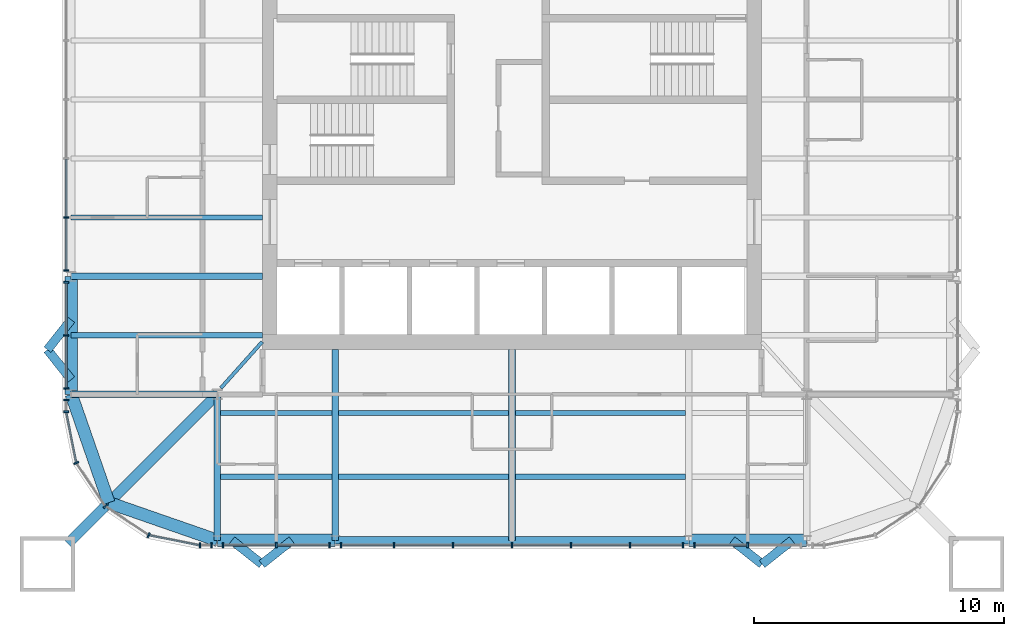
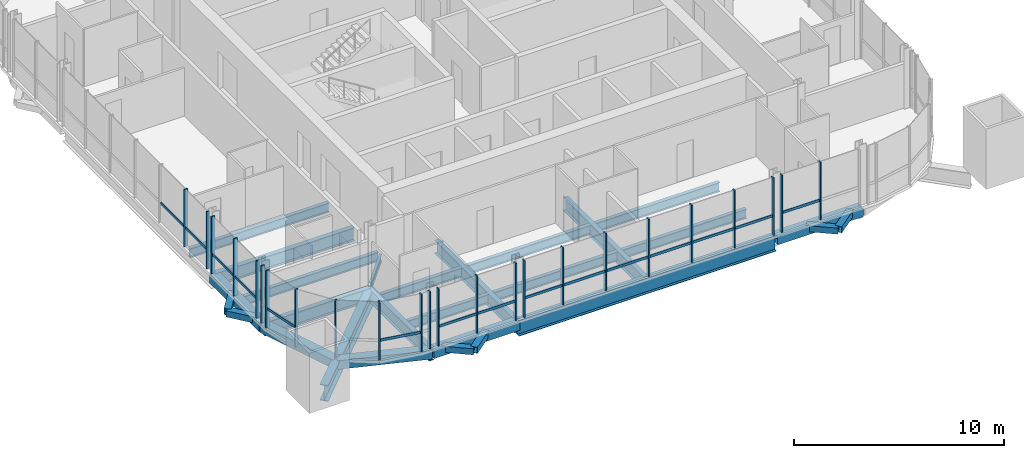
# One storey, part 2 of 17: 39 members, 27 beams, 8 elements without a shape of their own.
"""IFC4 building model written with IfcOpenShell, lengths in metres."""

from ifc_helpers import new_model, si_unit, direction, frame, origin, origin_2d, place, context, subcontext, project, spatial, rectangle, hollow_rectangle, i_section, extrude, material, material_profile, profile_set, type_object, element, aggregate, save


model = new_model("IFC4")

# Units and contexts
model_context = context("Model", 3, precision=1e-05, world=origin(), true_north=direction((0.0, 1.0)))
body_context = subcontext(model_context, "Body", "Model", "MODEL_VIEW")
ifc_project = project(units=[si_unit("LENGTHUNIT", "METRE"), si_unit("AREAUNIT", "SQUARE_METRE"), si_unit("VOLUMEUNIT", "CUBIC_METRE"), si_unit("PLANEANGLEUNIT", "RADIAN"), si_unit("MASSUNIT", "GRAM", prefix="KILO")], contexts=[model_context])

# Site, building, storey
site_placement = place(None, origin())
site = spatial("IfcSite", under=ifc_project, at=site_placement, CompositionType="ELEMENT")
building_placement = place(site_placement, origin())
building = spatial("IfcBuilding", under=site, at=building_placement, Name="Turquesa Mirador Hotel Tower", CompositionType="ELEMENT")
storey_placement = place(building_placement, frame((0.0, 0.0, 237.199951171875)))
storey = spatial("IfcBuildingStorey", under=building, at=storey_placement, Name="L64", CompositionType="ELEMENT", Elevation=237.199951171875)

# Beams
ifc_material_1 = material(Name="Steel ASTM A572 Grade 50", Category="steel")
ifc_material_profile_1 = material_profile(ifc_material_1, hollow_rectangle(XDim=0.5, YDim=0.5, WallThickness=0.01611328125, at=origin_2d()), Name="BOX500X500X16")
ifc_profile_set_1 = profile_set([ifc_material_profile_1], Name="Steel ASTM A572 Grade 50")
beam_type_1 = type_object("IfcBeamType", Name="BEAM BOX500X500X16", PredefinedType="BEAM", material=ifc_profile_set_1)
for number, where, z_axis, x_axis, name in (
    (1, (43.199951171875, 27.35009765625, -0.419921875), (1.0, 0.0, 0.0), (0.0, 1.0, 0.0), "EB-L64-S-L"),
    (2, (62.080078125, 27.35009765625, -0.419921875), (1.0, 0.0, 0.0), (0.0, 1.0, 0.0), "EB-L64-S-R"),
    (3, (37.35009765625, 33.199951171875, -0.419921875), (0.0, 1.0, 0.0), (-1.0, 0.0, 0.0), "EB-L64-W-L"),
):
    element("IfcBeam", number, at=place(storey_placement, frame(where, z_axis=z_axis, x_axis=x_axis)), inside=storey, type_object=beam_type_1, Name=name, PredefinedType="BEAM", context=body_context, shape_type="SweptSolid", body=[
        extrude(hollow_rectangle(XDim=0.5, YDim=0.5, WallThickness=0.01611328125, at=origin_2d()), origin(), (0.0, 0.0, 1.0), 4.719970703125),
    ])
for number, where, z_axis, x_axis, name in (
    (4, (37.35009765625, 33.199951171875, -0.419921875), (0.328170356092, -0.944618556552, 0.0), (0.944618556552, 0.328170356092, 0.0), "KE-L64-3-0"),
    (5, (38.8583984375, 28.8583984375, -0.419921875), (0.944618556552, -0.328170356092, 0.0), (0.328170356092, 0.944618556552, 0.0), "KE-L64-3-1"),
):
    element("IfcBeam", number, at=place(storey_placement, frame(where, z_axis=z_axis, x_axis=x_axis)), inside=storey, type_object=beam_type_1, Name=name, PredefinedType="BEAM", context=body_context, shape_type="SweptSolid", body=[
        extrude(hollow_rectangle(XDim=0.5, YDim=0.5, WallThickness=0.01611328125, at=origin_2d()), origin(), (0.0, 0.0, 1.0), 4.59619140625),
    ])
ifc_material_2 = material(Name="Steel ASTM A992 Grade 50", Category="steel")
ifc_material_profile_2 = material_profile(ifc_material_2, i_section(OverallWidth=0.140380859375, OverallDepth=0.40380859375, WebThickness=0.007080078125, FlangeThickness=0.01123046875, at=origin_2d()), Name="W16X31")
ifc_profile_set_2 = profile_set([ifc_material_profile_2], Name="Steel ASTM A992 Grade 50")
beam_type_2 = type_object("IfcBeamType", Name="BEAM W16X31", PredefinedType="BEAM", material=ifc_profile_set_2)
beam_1_placement = place(storey_placement, frame((43.343505859375, 33.44873046875, -0.371826171875), z_axis=(0.666806350186, 0.745231032198, 0.0), x_axis=(-0.745231032198, 0.666806350186, 0.0)))
element("IfcBeam", 6, at=beam_1_placement, inside=storey, type_object=beam_type_2, Name="KT-L64-3", PredefinedType="BEAM", context=body_context, shape_type="SweptSolid", body=[
    extrude(i_section(OverallWidth=0.140380859375, OverallDepth=0.40380859375, WebThickness=0.007080078125, FlangeThickness=0.01123046875, at=origin_2d()), origin(), (0.0, 0.0, 1.0), 2.484130859375),
])
ifc_material_3 = material(Name="Steel ASTM A992 Grade 50", Category="steel")
ifc_material_profile_3 = material_profile(ifc_material_3, i_section(OverallWidth=0.209228515625, OverallDepth=0.533447265625, WebThickness=0.01025390625, FlangeThickness=0.015625, at=origin_2d()), Name="W21X62")
ifc_profile_set_3 = profile_set([ifc_material_profile_3], Name="Steel ASTM A992 Grade 50")
beam_type_3 = type_object("IfcBeamType", Name="BEAM W21X62", PredefinedType="BEAM", material=ifc_profile_set_3)
beam_2_placement = place(storey_placement, frame((43.333251953125, 32.449951171875, -0.436767578125), z_axis=(1.0, 0.0, 0.0), x_axis=(0.0, 1.0, 0.0)))
element("IfcBeam", 7, at=beam_2_placement, inside=storey, type_object=beam_type_3, Name="IB-L64-S-1-0", PredefinedType="BEAM", context=body_context, shape_type="SweptSolid", body=[
    extrude(i_section(OverallWidth=0.209228515625, OverallDepth=0.533447265625, WebThickness=0.01025390625, FlangeThickness=0.015625, at=origin_2d()), origin(), (0.0, 0.0, 1.0), 4.453369140625),
])
for number, where, z_axis, x_axis, name in (
    (8, (48.053466796875, 32.449951171875, -0.436767578125), (1.0, 0.0, 0.0), (0.0, 1.0, 0.0), "IB-L64-S-1-1"),
    (9, (55.13330078125, 32.449951171875, -0.436767578125), (1.0, 0.0, 0.0), (0.0, 1.0, 0.0), "IB-L64-S-1-2"),
):
    element("IfcBeam", number, at=place(storey_placement, frame(where, z_axis=z_axis, x_axis=x_axis)), inside=storey, type_object=beam_type_3, Name=name, PredefinedType="BEAM", context=body_context, shape_type="SweptSolid", body=[
        extrude(i_section(OverallWidth=0.209228515625, OverallDepth=0.533447265625, WebThickness=0.01025390625, FlangeThickness=0.015625, at=origin_2d()), origin(), (0.0, 0.0, 1.0), 6.813232421875),
    ])
beam_3_placement = place(storey_placement, frame((43.333251953125, 29.89990234375, -0.436767578125), z_axis=(1.0, 0.0, 0.0), x_axis=(0.0, 1.0, 0.0)))
element("IfcBeam", 10, at=beam_3_placement, inside=storey, type_object=beam_type_3, Name="IB-L64-S-2-0", PredefinedType="BEAM", context=body_context, shape_type="SweptSolid", body=[
    extrude(i_section(OverallWidth=0.209228515625, OverallDepth=0.533447265625, WebThickness=0.01025390625, FlangeThickness=0.015625, at=origin_2d()), origin(), (0.0, 0.0, 1.0), 4.453369140625),
])
for number, where, z_axis, x_axis, name in (
    (11, (48.053466796875, 29.89990234375, -0.436767578125), (1.0, 0.0, 0.0), (0.0, 1.0, 0.0), "IB-L64-S-2-1"),
    (12, (55.13330078125, 29.89990234375, -0.436767578125), (1.0, 0.0, 0.0), (0.0, 1.0, 0.0), "IB-L64-S-2-2"),
):
    element("IfcBeam", number, at=place(storey_placement, frame(where, z_axis=z_axis, x_axis=x_axis)), inside=storey, type_object=beam_type_3, Name=name, PredefinedType="BEAM", context=body_context, shape_type="SweptSolid", body=[
        extrude(i_section(OverallWidth=0.209228515625, OverallDepth=0.533447265625, WebThickness=0.01025390625, FlangeThickness=0.015625, at=origin_2d()), origin(), (0.0, 0.0, 1.0), 6.813232421875),
    ])
for number, where, z_axis, x_axis, name in (
    (13, (37.35009765625, 35.56005859375, -0.436767578125), (1.0, 0.0, 0.0), (0.0, 1.0, 0.0), "BM-L64-W--9.44"),
    (14, (37.35009765625, 40.280029296875, -0.436767578125), (1.0, 0.0, 0.0), (0.0, 1.0, 0.0), "BM-L64-W--4.72"),
):
    element("IfcBeam", number, at=place(storey_placement, frame(where, z_axis=z_axis, x_axis=x_axis)), inside=storey, type_object=beam_type_3, Name=name, PredefinedType="BEAM", context=body_context, shape_type="SweptSolid", body=[
        extrude(i_section(OverallWidth=0.209228515625, OverallDepth=0.533447265625, WebThickness=0.01025390625, FlangeThickness=0.015625, at=origin_2d()), origin(), (0.0, 0.0, 1.0), 7.64990234375),
    ])
ifc_material_4 = material(Name="Steel ASTM A992 Grade 50", Category="steel")
ifc_material_profile_4 = material_profile(ifc_material_4, i_section(OverallWidth=0.2666015625, OverallDepth=0.7568359375, WebThickness=0.013916015625, FlangeThickness=0.019287109375, at=origin_2d()), Name="W30X108")
ifc_profile_set_4 = profile_set([ifc_material_profile_4], Name="Steel ASTM A992 Grade 50")
beam_type_4 = type_object("IfcBeamType", Name="BEAM W30X108", PredefinedType="BEAM", material=ifc_profile_set_4)
for number, where, z_axis, x_axis, name in (
    (15, (47.919921875, 27.35009765625, -0.54833984375), (0.0, 1.0, 0.0), (-1.0, 0.0, 0.0), "GD-L64-S--7.08"),
    (16, (55.0, 27.35009765625, -0.54833984375), (0.0, 1.0, 0.0), (-1.0, 0.0, 0.0), "GD-L64-S-+0.00"),
):
    element("IfcBeam", number, at=place(storey_placement, frame(where, z_axis=z_axis, x_axis=x_axis)), inside=storey, type_object=beam_type_4, Name=name, PredefinedType="BEAM", context=body_context, shape_type="SweptSolid", body=[
        extrude(i_section(OverallWidth=0.2666015625, OverallDepth=0.7568359375, WebThickness=0.013916015625, FlangeThickness=0.019287109375, at=origin_2d()), origin(), (0.0, 0.0, 1.0), 7.64990234375),
    ])
beam_4_placement = place(storey_placement, frame((43.199951171875, 27.35009765625, -0.54833984375), z_axis=(0.0, 1.0, 0.0), x_axis=(-1.0, 0.0, 0.0)))
element("IfcBeam", 17, at=beam_4_placement, inside=storey, type_object=beam_type_4, Name="GK-L64-S--11.80", PredefinedType="BEAM", context=body_context, shape_type="SweptSolid", body=[
    extrude(i_section(OverallWidth=0.2666015625, OverallDepth=0.7568359375, WebThickness=0.013916015625, FlangeThickness=0.019287109375, at=origin_2d()), origin(), (0.0, 0.0, 1.0), 5.849853515625),
])
beam_5_placement = place(storey_placement, frame((37.35009765625, 37.919921875, -0.54833984375), z_axis=(1.0, 0.0, 0.0), x_axis=(0.0, 1.0, 0.0)))
element("IfcBeam", 18, at=beam_5_placement, inside=storey, type_object=beam_type_4, Name="GD-L64-W--7.08", PredefinedType="BEAM", context=body_context, shape_type="SweptSolid", body=[
    extrude(i_section(OverallWidth=0.2666015625, OverallDepth=0.7568359375, WebThickness=0.013916015625, FlangeThickness=0.019287109375, at=origin_2d()), origin(), (0.0, 0.0, 1.0), 7.64990234375),
])
beam_6_placement = place(storey_placement, frame((37.35009765625, 33.199951171875, -0.54833984375), z_axis=(1.0, 0.0, 0.0), x_axis=(0.0, 1.0, 0.0)))
element("IfcBeam", 19, at=beam_6_placement, inside=storey, type_object=beam_type_4, Name="GK-L64-W--11.80", PredefinedType="BEAM", context=body_context, shape_type="SweptSolid", body=[
    extrude(i_section(OverallWidth=0.2666015625, OverallDepth=0.7568359375, WebThickness=0.013916015625, FlangeThickness=0.019287109375, at=origin_2d()), origin(), (0.0, 0.0, 1.0), 5.849853515625),
])
ifc_material_5 = material(Name="Steel ASTM A992 Grade 50", Category="steel")
ifc_material_profile_5 = material_profile(ifc_material_5, i_section(OverallWidth=0.3046875, OverallDepth=0.911865234375, WebThickness=0.015869140625, FlangeThickness=0.02392578125, at=origin_2d()), Name="W36X150")
ifc_profile_set_5 = profile_set([ifc_material_profile_5], Name="Steel ASTM A992 Grade 50")
beam_type_5 = type_object("IfcBeamType", Name="BEAM W36X150", PredefinedType="BEAM", material=ifc_profile_set_5)
beam_7_placement = place(storey_placement, frame((47.919921875, 27.35009765625, -0.6259765625), z_axis=(1.0, 0.0, 0.0), x_axis=(0.0, 1.0, 0.0)))
element("IfcBeam", 20, at=beam_7_placement, inside=storey, type_object=beam_type_5, Name="EB-L64-S-C", PredefinedType="BEAM", context=body_context, shape_type="SweptSolid", body=[
    extrude(i_section(OverallWidth=0.3046875, OverallDepth=0.911865234375, WebThickness=0.015869140625, FlangeThickness=0.02392578125, at=origin_2d()), origin(), (0.0, 0.0, 1.0), 14.16015625),
])
ifc_material_6 = material(Name="Steel ASTM A992 Grade 50", Category="steel")
ifc_material_profile_6 = material_profile(ifc_material_6, i_section(OverallWidth=0.419189453125, OverallDepth=0.927001953125, WebThickness=0.019287109375, FlangeThickness=0.031982421875, at=origin_2d()), Name="W36X231")
ifc_profile_set_6 = profile_set([ifc_material_profile_6], Name="Steel ASTM A992 Grade 50")
beam_type_6 = type_object("IfcBeamType", Name="BEAM W36X231", PredefinedType="BEAM", material=ifc_profile_set_6)
beam_8_placement = place(storey_placement, frame((43.199951171875, 33.199951171875, -0.633544921875), z_axis=(-0.707106781187, -0.707106781187, 0.0), x_axis=(0.707106781187, -0.707106781187, 0.0)))
element("IfcBeam", 21, at=beam_8_placement, inside=storey, type_object=beam_type_6, Name="KD-L64-3", PredefinedType="BEAM", context=body_context, shape_type="SweptSolid", body=[
    extrude(i_section(OverallWidth=0.419189453125, OverallDepth=0.927001953125, WebThickness=0.019287109375, FlangeThickness=0.031982421875, at=origin_2d()), origin(), (0.0, 0.0, 1.0), 8.46240234375),
])
ifc_material_7 = material(Name="Steel ASTM A500 Grade C", Category="steel")
ifc_material_profile_7 = material_profile(ifc_material_7, hollow_rectangle(XDim=0.355712890625, YDim=0.355712890625, WallThickness=0.0146484375, at=origin_2d()), Name="HSS14X14X5/8")
ifc_profile_set_7 = profile_set([ifc_material_profile_7], Name="Steel ASTM A500 Grade C")
beam_type_7 = type_object("IfcBeamType", Name="BRACE STRUT HSS14X14X5/8", PredefinedType="BEAM", material=ifc_profile_set_7)
for number, where, z_axis, x_axis, name in (
    (22, (44.984619140625, 26.39990234375, -0.34765625), (-0.783971428146, 0.620796907089, 0.0), (-0.620796907089, -0.783971428146, 0.0), "Brace strut"),
    (23, (44.984619140625, 26.39990234375, -0.34765625), (0.783971428146, 0.620796907089, 0.0), (-0.620796907089, 0.783971428146, 0.0), "Brace strut"),
    (24, (65.015380859375, 26.39990234375, -0.34765625), (-0.783971428146, 0.620796907089, 0.0), (-0.620796907089, -0.783971428146, 0.0), "Brace strut"),
    (25, (65.015380859375, 26.39990234375, -0.34765625), (0.783971428146, 0.620796907089, 0.0), (-0.620796907089, 0.783971428146, 0.0), "Brace strut"),
    (26, (36.39990234375, 34.984619140625, -0.34765625), (0.620796907089, -0.783971428146, 0.0), (0.783971428146, 0.620796907089, 0.0), "Brace strut"),
    (27, (36.39990234375, 34.984619140625, -0.34765625), (0.620796907089, 0.783971428146, 0.0), (-0.783971428146, 0.620796907089, 0.0), "Brace strut"),
):
    element("IfcBeam", number, at=place(storey_placement, frame(where, z_axis=z_axis, x_axis=x_axis)), inside=storey, type_object=beam_type_7, Name=name, PredefinedType="BEAM", context=body_context, shape_type="SweptSolid", body=[
        extrude(hollow_rectangle(XDim=0.355712890625, YDim=0.355712890625, WallThickness=0.0146484375, at=origin_2d()), origin(), (0.0, 0.0, 1.0), 1.530517578125),
    ])

# Curtain wall, members
ifc_material_8 = material(Name="Aluminium extrusion", Category="aluminium")
curtain_wall_type = type_object("IfcCurtainWallType", Name="CW-4 SUITE FRITTED CURTAIN WALL", PredefinedType="USERDEFINED", material=ifc_material_8)
curtain_wall_1_placement = place(storey_placement, origin())
curtain_wall_1 = element("IfcCurtainWall", 28, at=curtain_wall_1_placement, inside=storey, type_object=curtain_wall_type, Name="CW-4 SUITE FRITTED CURTAIN WALL L64", ObjectType="CURTAIN WALL", PredefinedType="USERDEFINED")
ifc_material_9 = material(Name="Aluminium extrusion", Category="aluminium")
ifc_material_profile_8 = material_profile(ifc_material_9, rectangle(XDim=0.06494140625, YDim=0.199951171875, at=origin_2d()), Name="MULLION 65X200")
ifc_profile_set_8 = profile_set([ifc_material_profile_8], Name="Aluminium extrusion")
member_type_1 = type_object("IfcMemberType", Name="CW MULLION 65X200", PredefinedType="MULLION", material=ifc_profile_set_8)
member_1_placement = place(storey_placement, frame((37.14990234375, 40.280029296875, 0.0), z_axis=(0.0, 0.0, 1.0), x_axis=(0.0, -1.0, 0.0)))
member_1 = element("IfcMember", 29, at=member_1_placement, type_object=member_type_1, Name="Mullion", PredefinedType="MULLION", context=body_context, shape_type="SweptSolid", body=[
    extrude(rectangle(XDim=0.06494140625, YDim=0.199951171875, at=origin_2d()), origin(), (0.0, 0.0, 1.0), 3.330078125),
])
member_2_placement = place(storey_placement, frame((37.14990234375, 38.15380859375, 0.0), z_axis=(0.0, 0.0, 1.0), x_axis=(0.0, -1.0, 0.0)))
member_2 = element("IfcMember", 30, at=member_2_placement, type_object=member_type_1, Name="Mullion", PredefinedType="MULLION", context=body_context, shape_type="SweptSolid", body=[
    extrude(rectangle(XDim=0.06494140625, YDim=0.199951171875, at=origin_2d()), origin(), (0.0, 0.0, 1.0), 3.330078125),
])

curtain_wall_2_placement = place(storey_placement, origin())
curtain_wall_2 = element("IfcCurtainWall", 31, at=curtain_wall_2_placement, inside=storey, type_object=curtain_wall_type, Name="CW-4 SUITE FRITTED CURTAIN WALL L64", ObjectType="CURTAIN WALL", PredefinedType="USERDEFINED")
member_3_placement = place(storey_placement, frame((37.14990234375, 37.68603515625, 0.0), z_axis=(0.0, 0.0, 1.0), x_axis=(0.0, -1.0, 0.0)))
member_3 = element("IfcMember", 32, at=member_3_placement, type_object=member_type_1, Name="Mullion", PredefinedType="MULLION", context=body_context, shape_type="SweptSolid", body=[
    extrude(rectangle(XDim=0.06494140625, YDim=0.199951171875, at=origin_2d()), origin(), (0.0, 0.0, 1.0), 3.330078125),
])
member_4_placement = place(storey_placement, frame((37.14990234375, 35.56005859375, 0.0), z_axis=(0.0, 0.0, 1.0), x_axis=(0.0, -1.0, 0.0)))
member_4 = element("IfcMember", 33, at=member_4_placement, type_object=member_type_1, Name="Mullion", PredefinedType="MULLION", context=body_context, shape_type="SweptSolid", body=[
    extrude(rectangle(XDim=0.06494140625, YDim=0.199951171875, at=origin_2d()), origin(), (0.0, 0.0, 1.0), 3.330078125),
])
member_5_placement = place(storey_placement, frame((37.14990234375, 33.433837890625, 0.0), z_axis=(0.0, 0.0, 1.0), x_axis=(0.0, -1.0, 0.0)))
member_5 = element("IfcMember", 34, at=member_5_placement, type_object=member_type_1, Name="Mullion", PredefinedType="MULLION", context=body_context, shape_type="SweptSolid", body=[
    extrude(rectangle(XDim=0.06494140625, YDim=0.199951171875, at=origin_2d()), origin(), (0.0, 0.0, 1.0), 3.330078125),
])

curtain_wall_3_placement = place(storey_placement, origin())
curtain_wall_3 = element("IfcCurtainWall", 35, at=curtain_wall_3_placement, inside=storey, type_object=curtain_wall_type, Name="CW-4 SUITE FRITTED CURTAIN WALL L64", ObjectType="CURTAIN WALL", PredefinedType="USERDEFINED")
member_6_placement = place(storey_placement, frame((37.14990234375, 32.966064453125, 0.0), z_axis=(0.0, 0.0, 1.0), x_axis=(0.0, -1.0, 0.0)))
member_6 = element("IfcMember", 36, at=member_6_placement, type_object=member_type_1, Name="Mullion", PredefinedType="MULLION", context=body_context, shape_type="SweptSolid", body=[
    extrude(rectangle(XDim=0.06494140625, YDim=0.199951171875, at=origin_2d()), origin(), (0.0, 0.0, 1.0), 3.330078125),
])
member_7_placement = place(storey_placement, frame((37.14990234375, 32.5, 0.0), z_axis=(0.0, 0.0, 1.0), x_axis=(0.0, -1.0, 0.0)))
member_7 = element("IfcMember", 37, at=member_7_placement, type_object=member_type_1, Name="Mullion", PredefinedType="MULLION", context=body_context, shape_type="SweptSolid", body=[
    extrude(rectangle(XDim=0.06494140625, YDim=0.199951171875, at=origin_2d()), origin(), (0.0, 0.0, 1.0), 3.330078125),
])
aggregate(curtain_wall_3, [member_6, member_7])

curtain_wall_4_placement = place(storey_placement, origin())
curtain_wall_4 = element("IfcCurtainWall", 38, at=curtain_wall_4_placement, inside=storey, type_object=curtain_wall_type, Name="CW-4 SUITE FRITTED CURTAIN WALL L64", ObjectType="CURTAIN WALL", PredefinedType="USERDEFINED")
member_8_placement = place(storey_placement, frame((37.55712890625, 30.45263671875, 0.0), z_axis=(0.0, 0.0, 1.0), x_axis=(0.382683432365, -0.923879532511, 0.0)))
member_8 = element("IfcMember", 39, at=member_8_placement, type_object=member_type_1, Name="Mullion", PredefinedType="MULLION", context=body_context, shape_type="SweptSolid", body=[
    extrude(rectangle(XDim=0.06494140625, YDim=0.199951171875, at=origin_2d()), origin(), (0.0, 0.0, 1.0), 3.330078125),
])
member_9_placement = place(storey_placement, frame((38.717041015625, 28.717041015625, 0.0), z_axis=(0.0, 0.0, 1.0), x_axis=(0.707106781187, -0.707106781187, 0.0)))
member_9 = element("IfcMember", 40, at=member_9_placement, type_object=member_type_1, Name="Mullion", PredefinedType="MULLION", context=body_context, shape_type="SweptSolid", body=[
    extrude(rectangle(XDim=0.06494140625, YDim=0.199951171875, at=origin_2d()), origin(), (0.0, 0.0, 1.0), 3.330078125),
])
member_10_placement = place(storey_placement, frame((40.45263671875, 27.55712890625, 0.0), z_axis=(0.0, 0.0, 1.0), x_axis=(0.923879532511, -0.382683432365, 0.0)))
member_10 = element("IfcMember", 41, at=member_10_placement, type_object=member_type_1, Name="Mullion", PredefinedType="MULLION", context=body_context, shape_type="SweptSolid", body=[
    extrude(rectangle(XDim=0.06494140625, YDim=0.199951171875, at=origin_2d()), origin(), (0.0, 0.0, 1.0), 3.330078125),
])

curtain_wall_5_placement = place(storey_placement, origin())
curtain_wall_5 = element("IfcCurtainWall", 42, at=curtain_wall_5_placement, inside=storey, type_object=curtain_wall_type, Name="CW-4 SUITE FRITTED CURTAIN WALL L64", ObjectType="CURTAIN WALL", PredefinedType="USERDEFINED")
member_11_placement = place(storey_placement, frame((42.5, 27.14990234375, 0.0), z_axis=(0.0, 0.0, 1.0), x_axis=(1.0, 0.0, 0.0)))
member_11 = element("IfcMember", 43, at=member_11_placement, type_object=member_type_1, Name="Mullion", PredefinedType="MULLION", context=body_context, shape_type="SweptSolid", body=[
    extrude(rectangle(XDim=0.06494140625, YDim=0.199951171875, at=origin_2d()), origin(), (0.0, 0.0, 1.0), 3.330078125),
])
member_12_placement = place(storey_placement, frame((42.966064453125, 27.14990234375, 0.0), z_axis=(0.0, 0.0, 1.0), x_axis=(1.0, 0.0, 0.0)))
member_12 = element("IfcMember", 44, at=member_12_placement, type_object=member_type_1, Name="Mullion", PredefinedType="MULLION", context=body_context, shape_type="SweptSolid", body=[
    extrude(rectangle(XDim=0.06494140625, YDim=0.199951171875, at=origin_2d()), origin(), (0.0, 0.0, 1.0), 3.330078125),
])
aggregate(curtain_wall_5, [member_11, member_12])

curtain_wall_6_placement = place(storey_placement, origin())
curtain_wall_6 = element("IfcCurtainWall", 45, at=curtain_wall_6_placement, inside=storey, type_object=curtain_wall_type, Name="CW-4 SUITE FRITTED CURTAIN WALL L64", ObjectType="CURTAIN WALL", PredefinedType="USERDEFINED")
member_13_placement = place(storey_placement, frame((43.433837890625, 27.14990234375, 0.0), z_axis=(0.0, 0.0, 1.0), x_axis=(1.0, 0.0, 0.0)))
member_13 = element("IfcMember", 46, at=member_13_placement, type_object=member_type_1, Name="Mullion", PredefinedType="MULLION", context=body_context, shape_type="SweptSolid", body=[
    extrude(rectangle(XDim=0.06494140625, YDim=0.199951171875, at=origin_2d()), origin(), (0.0, 0.0, 1.0), 3.330078125),
])
member_14_placement = place(storey_placement, frame((45.56005859375, 27.14990234375, 0.0), z_axis=(0.0, 0.0, 1.0), x_axis=(1.0, 0.0, 0.0)))
member_14 = element("IfcMember", 47, at=member_14_placement, type_object=member_type_1, Name="Mullion", PredefinedType="MULLION", context=body_context, shape_type="SweptSolid", body=[
    extrude(rectangle(XDim=0.06494140625, YDim=0.199951171875, at=origin_2d()), origin(), (0.0, 0.0, 1.0), 3.330078125),
])
member_15_placement = place(storey_placement, frame((47.68603515625, 27.14990234375, 0.0), z_axis=(0.0, 0.0, 1.0), x_axis=(1.0, 0.0, 0.0)))
member_15 = element("IfcMember", 48, at=member_15_placement, type_object=member_type_1, Name="Mullion", PredefinedType="MULLION", context=body_context, shape_type="SweptSolid", body=[
    extrude(rectangle(XDim=0.06494140625, YDim=0.199951171875, at=origin_2d()), origin(), (0.0, 0.0, 1.0), 3.330078125),
])

curtain_wall_7_placement = place(storey_placement, origin())
curtain_wall_7 = element("IfcCurtainWall", 49, at=curtain_wall_7_placement, inside=storey, type_object=curtain_wall_type, Name="CW-4 SUITE FRITTED CURTAIN WALL L64", ObjectType="CURTAIN WALL", PredefinedType="USERDEFINED")
member_16_placement = place(storey_placement, frame((48.15380859375, 27.14990234375, 0.0), z_axis=(0.0, 0.0, 1.0), x_axis=(1.0, 0.0, 0.0)))
member_16 = element("IfcMember", 50, at=member_16_placement, type_object=member_type_1, Name="Mullion", PredefinedType="MULLION", context=body_context, shape_type="SweptSolid", body=[
    extrude(rectangle(XDim=0.06494140625, YDim=0.199951171875, at=origin_2d()), origin(), (0.0, 0.0, 1.0), 3.330078125),
])
member_17_placement = place(storey_placement, frame((50.280029296875, 27.14990234375, 0.0), z_axis=(0.0, 0.0, 1.0), x_axis=(1.0, 0.0, 0.0)))
member_17 = element("IfcMember", 51, at=member_17_placement, type_object=member_type_1, Name="Mullion", PredefinedType="MULLION", context=body_context, shape_type="SweptSolid", body=[
    extrude(rectangle(XDim=0.06494140625, YDim=0.199951171875, at=origin_2d()), origin(), (0.0, 0.0, 1.0), 3.330078125),
])
member_18_placement = place(storey_placement, frame((52.639892578125, 27.14990234375, 0.0), z_axis=(0.0, 0.0, 1.0), x_axis=(1.0, 0.0, 0.0)))
member_18 = element("IfcMember", 52, at=member_18_placement, type_object=member_type_1, Name="Mullion", PredefinedType="MULLION", context=body_context, shape_type="SweptSolid", body=[
    extrude(rectangle(XDim=0.06494140625, YDim=0.199951171875, at=origin_2d()), origin(), (0.0, 0.0, 1.0), 3.330078125),
])
member_19_placement = place(storey_placement, frame((55.0, 27.14990234375, 0.0), z_axis=(0.0, 0.0, 1.0), x_axis=(1.0, 0.0, 0.0)))
member_19 = element("IfcMember", 53, at=member_19_placement, type_object=member_type_1, Name="Mullion", PredefinedType="MULLION", context=body_context, shape_type="SweptSolid", body=[
    extrude(rectangle(XDim=0.06494140625, YDim=0.199951171875, at=origin_2d()), origin(), (0.0, 0.0, 1.0), 3.330078125),
])
member_20_placement = place(storey_placement, frame((57.360107421875, 27.14990234375, 0.0), z_axis=(0.0, 0.0, 1.0), x_axis=(1.0, 0.0, 0.0)))
member_20 = element("IfcMember", 54, at=member_20_placement, type_object=member_type_1, Name="Mullion", PredefinedType="MULLION", context=body_context, shape_type="SweptSolid", body=[
    extrude(rectangle(XDim=0.06494140625, YDim=0.199951171875, at=origin_2d()), origin(), (0.0, 0.0, 1.0), 3.330078125),
])
member_21_placement = place(storey_placement, frame((59.719970703125, 27.14990234375, 0.0), z_axis=(0.0, 0.0, 1.0), x_axis=(1.0, 0.0, 0.0)))
member_21 = element("IfcMember", 55, at=member_21_placement, type_object=member_type_1, Name="Mullion", PredefinedType="MULLION", context=body_context, shape_type="SweptSolid", body=[
    extrude(rectangle(XDim=0.06494140625, YDim=0.199951171875, at=origin_2d()), origin(), (0.0, 0.0, 1.0), 3.330078125),
])
member_22_placement = place(storey_placement, frame((61.84619140625, 27.14990234375, 0.0), z_axis=(0.0, 0.0, 1.0), x_axis=(1.0, 0.0, 0.0)))
member_22 = element("IfcMember", 56, at=member_22_placement, type_object=member_type_1, Name="Mullion", PredefinedType="MULLION", context=body_context, shape_type="SweptSolid", body=[
    extrude(rectangle(XDim=0.06494140625, YDim=0.199951171875, at=origin_2d()), origin(), (0.0, 0.0, 1.0), 3.330078125),
])

curtain_wall_8_placement = place(storey_placement, origin())
curtain_wall_8 = element("IfcCurtainWall", 57, at=curtain_wall_8_placement, inside=storey, type_object=curtain_wall_type, Name="CW-4 SUITE FRITTED CURTAIN WALL L64", ObjectType="CURTAIN WALL", PredefinedType="USERDEFINED")
member_23_placement = place(storey_placement, frame((62.31396484375, 27.14990234375, 0.0), z_axis=(0.0, 0.0, 1.0), x_axis=(1.0, 0.0, 0.0)))
member_23 = element("IfcMember", 58, at=member_23_placement, type_object=member_type_1, Name="Mullion", PredefinedType="MULLION", context=body_context, shape_type="SweptSolid", body=[
    extrude(rectangle(XDim=0.06494140625, YDim=0.199951171875, at=origin_2d()), origin(), (0.0, 0.0, 1.0), 3.330078125),
])
member_24_placement = place(storey_placement, frame((64.43994140625, 27.14990234375, 0.0), z_axis=(0.0, 0.0, 1.0), x_axis=(1.0, 0.0, 0.0)))
member_24 = element("IfcMember", 59, at=member_24_placement, type_object=member_type_1, Name="Mullion", PredefinedType="MULLION", context=body_context, shape_type="SweptSolid", body=[
    extrude(rectangle(XDim=0.06494140625, YDim=0.199951171875, at=origin_2d()), origin(), (0.0, 0.0, 1.0), 3.330078125),
])

# Member
ifc_material_10 = material(Name="Aluminium extrusion", Category="aluminium")
ifc_material_profile_9 = material_profile(ifc_material_10, rectangle(XDim=0.06494140625, YDim=0.14990234375, at=origin_2d()), Name="TRANSOM 65X150")
ifc_profile_set_9 = profile_set([ifc_material_profile_9], Name="Aluminium extrusion")
member_type_2 = type_object("IfcMemberType", Name="CW TRANSOM 65X150", PredefinedType="USERDEFINED", material=ifc_profile_set_9)
member_25_placement = place(storey_placement, frame((37.14990234375, 42.607421875, 1.10009765625), z_axis=(0.0, -1.0, 0.0), x_axis=(1.0, 0.0, 0.0)))
member_25 = element("IfcMember", 60, at=member_25_placement, type_object=member_type_2, Name="Transom", ObjectType="TRANSOM", PredefinedType="USERDEFINED", context=body_context, shape_type="SweptSolid", body=[
    extrude(rectangle(XDim=0.06494140625, YDim=0.14990234375, at=origin_2d()), origin(), (0.0, 0.0, 1.0), 2.294921875),
])

member_26_placement = place(storey_placement, frame((37.14990234375, 40.24755859375, 1.10009765625), z_axis=(0.0, -1.0, 0.0), x_axis=(1.0, 0.0, 0.0)))
member_26 = element("IfcMember", 61, at=member_26_placement, type_object=member_type_2, Name="Transom", ObjectType="TRANSOM", PredefinedType="USERDEFINED", context=body_context, shape_type="SweptSolid", body=[
    extrude(rectangle(XDim=0.06494140625, YDim=0.14990234375, at=origin_2d()), origin(), (0.0, 0.0, 1.0), 2.061279296875),
])

aggregate(curtain_wall_1, [member_1, member_2, member_25, member_26])

member_27_placement = place(storey_placement, frame((37.14990234375, 37.653564453125, 1.10009765625), z_axis=(0.0, -1.0, 0.0), x_axis=(1.0, 0.0, 0.0)))
member_27 = element("IfcMember", 62, at=member_27_placement, type_object=member_type_2, Name="Transom", ObjectType="TRANSOM", PredefinedType="USERDEFINED", context=body_context, shape_type="SweptSolid", body=[
    extrude(rectangle(XDim=0.06494140625, YDim=0.14990234375, at=origin_2d()), origin(), (0.0, 0.0, 1.0), 2.06103515625),
])

member_28_placement = place(storey_placement, frame((37.14990234375, 35.527587890625, 1.10009765625), z_axis=(0.0, -1.0, 0.0), x_axis=(1.0, 0.0, 0.0)))
member_28 = element("IfcMember", 63, at=member_28_placement, type_object=member_type_2, Name="Transom", ObjectType="TRANSOM", PredefinedType="USERDEFINED", context=body_context, shape_type="SweptSolid", body=[
    extrude(rectangle(XDim=0.06494140625, YDim=0.14990234375, at=origin_2d()), origin(), (0.0, 0.0, 1.0), 2.061279296875),
])

aggregate(curtain_wall_2, [member_3, member_4, member_5, member_27, member_28])

member_29_placement = place(storey_placement, frame((37.15625, 32.468017578125, 1.10009765625), z_axis=(0.195210621934, -0.980761343592, 0.0), x_axis=(0.980761343592, 0.195210621934, 0.0)))
member_29 = element("IfcMember", 64, at=member_29_placement, type_object=member_type_2, Name="Transom", ObjectType="TRANSOM", PredefinedType="USERDEFINED", context=body_context, shape_type="SweptSolid", body=[
    extrude(rectangle(XDim=0.06494140625, YDim=0.14990234375, at=origin_2d()), origin(), (0.0, 0.0, 1.0), 2.022216796875),
])

member_30_placement = place(storey_placement, frame((40.484619140625, 27.551025390625, 1.10009765625), z_axis=(0.980761343592, -0.195210621934, 0.0), x_axis=(0.195210621934, 0.980761343592, 0.0)))
member_30 = element("IfcMember", 65, at=member_30_placement, type_object=member_type_2, Name="Transom", ObjectType="TRANSOM", PredefinedType="USERDEFINED", context=body_context, shape_type="SweptSolid", body=[
    extrude(rectangle(XDim=0.06494140625, YDim=0.14990234375, at=origin_2d()), origin(), (0.0, 0.0, 1.0), 2.022216796875),
])

aggregate(curtain_wall_4, [member_8, member_9, member_10, member_29, member_30])

member_31_placement = place(storey_placement, frame((43.46630859375, 27.14990234375, 1.10009765625), z_axis=(1.0, 0.0, 0.0), x_axis=(0.0, 1.0, 0.0)))
member_31 = element("IfcMember", 66, at=member_31_placement, type_object=member_type_2, Name="Transom", ObjectType="TRANSOM", PredefinedType="USERDEFINED", context=body_context, shape_type="SweptSolid", body=[
    extrude(rectangle(XDim=0.06494140625, YDim=0.14990234375, at=origin_2d()), origin(), (0.0, 0.0, 1.0), 2.061279296875),
])

member_32_placement = place(storey_placement, frame((45.592529296875, 27.14990234375, 1.10009765625), z_axis=(1.0, 0.0, 0.0), x_axis=(0.0, 1.0, 0.0)))
member_32 = element("IfcMember", 67, at=member_32_placement, type_object=member_type_2, Name="Transom", ObjectType="TRANSOM", PredefinedType="USERDEFINED", context=body_context, shape_type="SweptSolid", body=[
    extrude(rectangle(XDim=0.06494140625, YDim=0.14990234375, at=origin_2d()), origin(), (0.0, 0.0, 1.0), 2.06103515625),
])

aggregate(curtain_wall_6, [member_13, member_14, member_15, member_31, member_32])

member_33_placement = place(storey_placement, frame((48.186279296875, 27.14990234375, 1.10009765625), z_axis=(1.0, 0.0, 0.0), x_axis=(0.0, 1.0, 0.0)))
member_33 = element("IfcMember", 68, at=member_33_placement, type_object=member_type_2, Name="Transom", ObjectType="TRANSOM", PredefinedType="USERDEFINED", context=body_context, shape_type="SweptSolid", body=[
    extrude(rectangle(XDim=0.06494140625, YDim=0.14990234375, at=origin_2d()), origin(), (0.0, 0.0, 1.0), 2.061279296875),
])

member_34_placement = place(storey_placement, frame((50.3125, 27.14990234375, 1.10009765625), z_axis=(1.0, 0.0, 0.0), x_axis=(0.0, 1.0, 0.0)))
member_34 = element("IfcMember", 69, at=member_34_placement, type_object=member_type_2, Name="Transom", ObjectType="TRANSOM", PredefinedType="USERDEFINED", context=body_context, shape_type="SweptSolid", body=[
    extrude(rectangle(XDim=0.06494140625, YDim=0.14990234375, at=origin_2d()), origin(), (0.0, 0.0, 1.0), 2.294921875),
])

member_35_placement = place(storey_placement, frame((52.672607421875, 27.14990234375, 1.10009765625), z_axis=(1.0, 0.0, 0.0), x_axis=(0.0, 1.0, 0.0)))
member_35 = element("IfcMember", 70, at=member_35_placement, type_object=member_type_2, Name="Transom", ObjectType="TRANSOM", PredefinedType="USERDEFINED", context=body_context, shape_type="SweptSolid", body=[
    extrude(rectangle(XDim=0.06494140625, YDim=0.14990234375, at=origin_2d()), origin(), (0.0, 0.0, 1.0), 2.294921875),
])

member_36_placement = place(storey_placement, frame((55.032470703125, 27.14990234375, 1.10009765625), z_axis=(1.0, 0.0, 0.0), x_axis=(0.0, 1.0, 0.0)))
member_36 = element("IfcMember", 71, at=member_36_placement, type_object=member_type_2, Name="Transom", ObjectType="TRANSOM", PredefinedType="USERDEFINED", context=body_context, shape_type="SweptSolid", body=[
    extrude(rectangle(XDim=0.06494140625, YDim=0.14990234375, at=origin_2d()), origin(), (0.0, 0.0, 1.0), 2.294921875),
])

member_37_placement = place(storey_placement, frame((57.392578125, 27.14990234375, 1.10009765625), z_axis=(1.0, 0.0, 0.0), x_axis=(0.0, 1.0, 0.0)))
member_37 = element("IfcMember", 72, at=member_37_placement, type_object=member_type_2, Name="Transom", ObjectType="TRANSOM", PredefinedType="USERDEFINED", context=body_context, shape_type="SweptSolid", body=[
    extrude(rectangle(XDim=0.06494140625, YDim=0.14990234375, at=origin_2d()), origin(), (0.0, 0.0, 1.0), 2.294921875),
])

member_38_placement = place(storey_placement, frame((59.75244140625, 27.14990234375, 1.10009765625), z_axis=(1.0, 0.0, 0.0), x_axis=(0.0, 1.0, 0.0)))
member_38 = element("IfcMember", 73, at=member_38_placement, type_object=member_type_2, Name="Transom", ObjectType="TRANSOM", PredefinedType="USERDEFINED", context=body_context, shape_type="SweptSolid", body=[
    extrude(rectangle(XDim=0.06494140625, YDim=0.14990234375, at=origin_2d()), origin(), (0.0, 0.0, 1.0), 2.061279296875),
])

aggregate(curtain_wall_7, [member_16, member_17, member_18, member_19, member_20, member_21, member_22, member_33, member_34, member_35, member_36, member_37, member_38])

member_39_placement = place(storey_placement, frame((62.346435546875, 27.14990234375, 1.10009765625), z_axis=(1.0, 0.0, 0.0), x_axis=(0.0, 1.0, 0.0)))
member_39 = element("IfcMember", 74, at=member_39_placement, type_object=member_type_2, Name="Transom", ObjectType="TRANSOM", PredefinedType="USERDEFINED", context=body_context, shape_type="SweptSolid", body=[
    extrude(rectangle(XDim=0.06494140625, YDim=0.14990234375, at=origin_2d()), origin(), (0.0, 0.0, 1.0), 2.06103515625),
])

aggregate(curtain_wall_8, [member_23, member_24, member_39])

save(model, "model.ifc")
